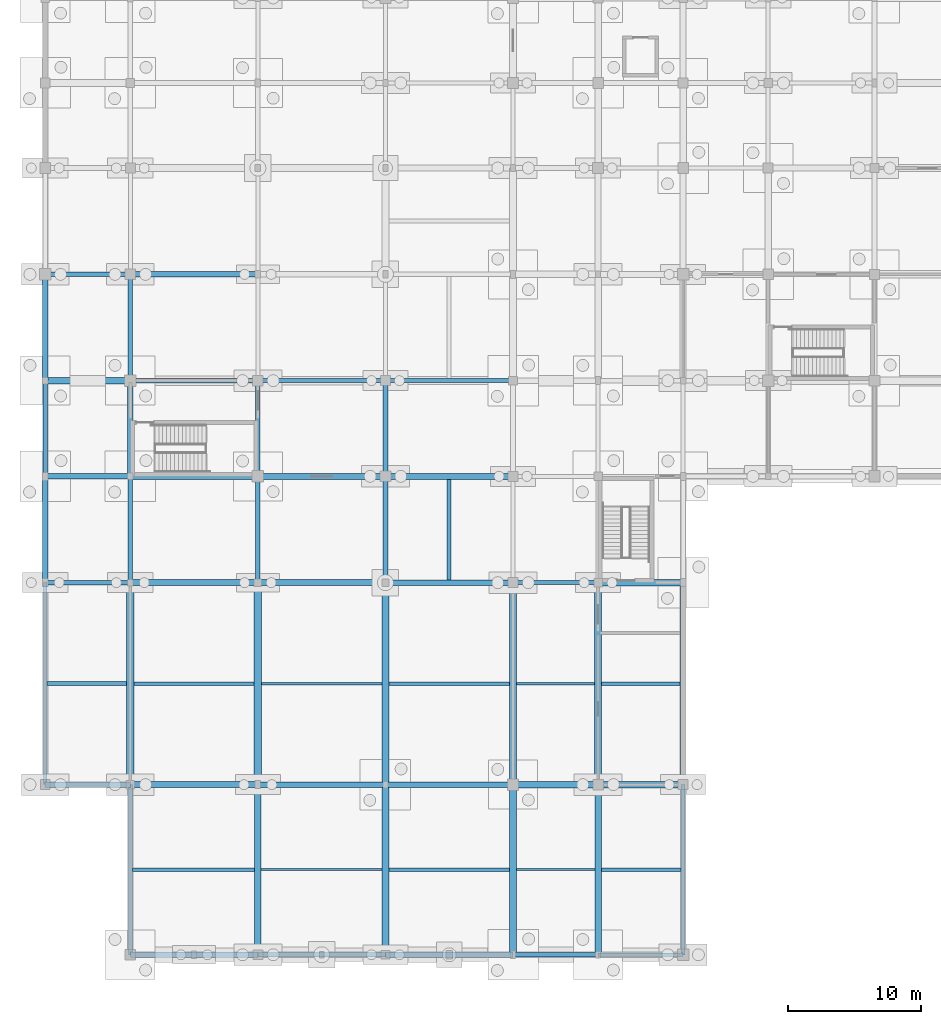
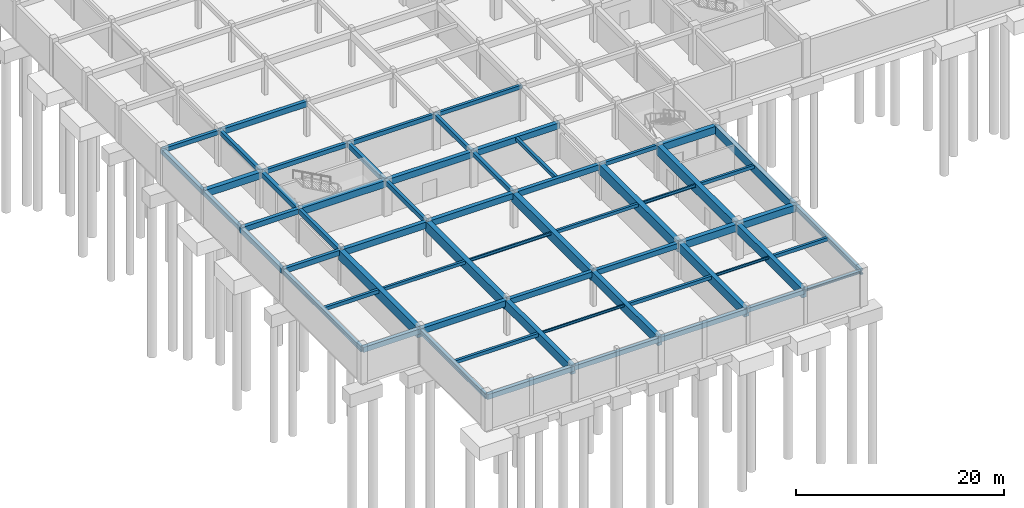
# One storey, part 9 of 28: 62 beams.
"""IFC4 building model written with IfcOpenShell, lengths in metres."""

from ifc_helpers import new_model, si_unit, direction, frame, origin, origin_2d, place, context, subcontext, project, spatial, rectangle, i_section, extrude, material, material_profile, profile_set, type_object, element, save


model = new_model("IFC4")

# Units and contexts
model_context = context("Model", 3, precision=1e-05, world=origin(), true_north=direction((0.0, 1.0)))
body_context = subcontext(model_context, "Body", "Model", "MODEL_VIEW")
ifc_project = project(units=[si_unit("LENGTHUNIT", "METRE"), si_unit("AREAUNIT", "SQUARE_METRE"), si_unit("VOLUMEUNIT", "CUBIC_METRE"), si_unit("PLANEANGLEUNIT", "RADIAN"), si_unit("MASSUNIT", "GRAM", prefix="KILO")], contexts=[model_context])

# Site, building, storey
site_placement = place(None, origin())
site = spatial("IfcSite", under=ifc_project, at=site_placement, CompositionType="ELEMENT")
building_placement = place(site_placement, origin())
building = spatial("IfcBuilding", under=site, at=building_placement, Name="Vellmiral Cinema and Media Centre", CompositionType="ELEMENT")
storey_placement = place(building_placement, frame((0.0, 0.0, -4.5)))
storey = spatial("IfcBuildingStorey", under=building, at=storey_placement, Name="B1", CompositionType="ELEMENT", Elevation=-4.5)

# Beams
ifc_material_1 = material(Name="Concrete C40/50", Category="concrete")
ifc_material_profile_1 = material_profile(ifc_material_1, rectangle(XDim=0.300048828125, YDim=0.449951171875, at=origin_2d()), Name="RC 300x450")
ifc_profile_set_1 = profile_set([ifc_material_profile_1], Name="Concrete C40/50")
beam_type_1 = type_object("IfcBeamType", Name="BM-RC-300x450", PredefinedType="BEAM", material=ifc_profile_set_1)
beam_1_placement = place(storey_placement, frame((35.199951171875, 28.0, 3.85009765625), z_axis=(1.0, 0.0, 0.0), x_axis=(0.0, 1.0, 0.0)))
element("IfcBeam", 1, at=beam_1_placement, inside=storey, type_object=beam_type_1, Name="Grid Beam B1-X020", PredefinedType="BEAM", context=body_context, shape_type="SweptSolid", body=[
    extrude(rectangle(XDim=0.300048828125, YDim=0.449951171875, at=origin_2d()), origin(), (0.0, 0.0, 1.0), 6.400146484375),
])
beam_2_placement = place(storey_placement, frame((25.60009765625, 43.199951171875, 3.85009765625), z_axis=(1.0, 0.0, 0.0), x_axis=(0.0, 1.0, 0.0)))
element("IfcBeam", 2, at=beam_2_placement, inside=storey, type_object=beam_type_1, Name="Grid Beam B1-X047", PredefinedType="BEAM", context=body_context, shape_type="SweptSolid", body=[
    extrude(rectangle(XDim=0.300048828125, YDim=0.449951171875, at=origin_2d()), origin(), (0.0, 0.0, 1.0), 9.599853515625),
])
ifc_material_2 = material(Name="Concrete C40/50", Category="concrete")
ifc_material_profile_2 = material_profile(ifc_material_2, rectangle(XDim=0.300048828125, YDim=0.5, at=origin_2d()), Name="RC 300x500")
ifc_profile_set_2 = profile_set([ifc_material_profile_2], Name="Concrete C40/50")
beam_type_2 = type_object("IfcBeamType", Name="BM-RC-300x500", PredefinedType="BEAM", material=ifc_profile_set_2)
beam_3_placement = place(storey_placement, frame((16.0, 43.199951171875, 3.824951171875), z_axis=(1.0, 0.0, 0.0), x_axis=(0.0, 1.0, 0.0)))
element("IfcBeam", 3, at=beam_3_placement, inside=storey, type_object=beam_type_2, Name="Grid Beam B1-X046", PredefinedType="BEAM", context=body_context, shape_type="SweptSolid", body=[
    extrude(rectangle(XDim=0.300048828125, YDim=0.5, at=origin_2d()), origin(), (0.0, 0.0, 1.0), 9.60009765625),
])
ifc_material_3 = material(Name="Concrete C40/50", Category="concrete")
ifc_material_profile_3 = material_profile(ifc_material_3, rectangle(XDim=0.35009765625, YDim=0.5, at=origin_2d()), Name="RC 350x500")
ifc_profile_set_3 = profile_set([ifc_material_profile_3], Name="Concrete C40/50")
beam_type_3 = type_object("IfcBeamType", Name="BM-RC-350x500", PredefinedType="BEAM", material=ifc_profile_set_3)
beam_4_placement = place(storey_placement, frame((6.39990234375, 43.199951171875, 3.824951171875), z_axis=(1.0, 0.0, 0.0), x_axis=(0.0, 1.0, 0.0)))
element("IfcBeam", 4, at=beam_4_placement, inside=storey, type_object=beam_type_3, Name="Grid Beam B1-X045", PredefinedType="BEAM", context=body_context, shape_type="SweptSolid", body=[
    extrude(rectangle(XDim=0.35009765625, YDim=0.5, at=origin_2d()), origin(), (0.0, 0.0, 1.0), 9.60009765625),
])
beam_5_placement = place(storey_placement, frame((0.0, 51.199951171875, 3.824951171875), z_axis=(1.0, 0.0, 0.0), x_axis=(0.0, 1.0, 0.0)))
element("IfcBeam", 5, at=beam_5_placement, inside=storey, type_object=beam_type_3, Name="Grid Beam B1-X062", PredefinedType="BEAM", context=body_context, shape_type="SweptSolid", body=[
    extrude(rectangle(XDim=0.35009765625, YDim=0.5, at=origin_2d()), origin(), (0.0, 0.0, 1.0), 6.39990234375),
])
for number, where, z_axis, x_axis, name in (
    (6, (6.39990234375, 43.199951171875, 3.824951171875), (0.0, 1.0, 0.0), (-1.0, 0.0, 0.0), "Grid Beam B1-Y224"),
    (7, (25.60009765625, 28.0, 3.824951171875), (0.0, 1.0, 0.0), (-1.0, 0.0, 0.0), "Grid Beam B1-Y246"),
):
    element("IfcBeam", number, at=place(storey_placement, frame(where, z_axis=z_axis, x_axis=x_axis)), inside=storey, type_object=beam_type_3, Name=name, PredefinedType="BEAM", context=body_context, shape_type="SweptSolid", body=[
        extrude(rectangle(XDim=0.35009765625, YDim=0.5, at=origin_2d()), origin(), (0.0, 0.0, 1.0), 8.0),
    ])
ifc_material_4 = material(Name="Concrete C40/50", Category="concrete")
ifc_material_profile_4 = material_profile(ifc_material_4, rectangle(XDim=0.35009765625, YDim=0.550048828125, at=origin_2d()), Name="RC 350x550")
ifc_profile_set_4 = profile_set([ifc_material_profile_4], Name="Concrete C40/50")
beam_type_4 = type_object("IfcBeamType", Name="BM-RC-350x550", PredefinedType="BEAM", material=ifc_profile_set_4)
beam_6_placement = place(storey_placement, frame((16.0, 28.0, 3.800048828125), z_axis=(0.0, 1.0, 0.0), x_axis=(-1.0, 0.0, 0.0)))
element("IfcBeam", 8, at=beam_6_placement, inside=storey, type_object=beam_type_4, Name="Grid Beam B1-Y234", PredefinedType="BEAM", context=body_context, shape_type="SweptSolid", body=[
    extrude(rectangle(XDim=0.35009765625, YDim=0.550048828125, at=origin_2d()), origin(), (0.0, 0.0, 1.0), 8.0),
])
beam_7_placement = place(storey_placement, frame((25.60009765625, 36.0, 3.800048828125), z_axis=(0.0, 1.0, 0.0), x_axis=(-1.0, 0.0, 0.0)))
element("IfcBeam", 9, at=beam_7_placement, inside=storey, type_object=beam_type_4, Name="Grid Beam B1-Y247", PredefinedType="BEAM", context=body_context, shape_type="SweptSolid", body=[
    extrude(rectangle(XDim=0.35009765625, YDim=0.550048828125, at=origin_2d()), origin(), (0.0, 0.0, 1.0), 7.199951171875),
])
ifc_material_5 = material(Name="Concrete C40/50", Category="concrete")
ifc_material_profile_5 = material_profile(ifc_material_5, rectangle(XDim=0.35009765625, YDim=0.60009765625, at=origin_2d()), Name="RC 350x600")
ifc_profile_set_5 = profile_set([ifc_material_profile_5], Name="Concrete C40/50")
beam_type_5 = type_object("IfcBeamType", Name="BM-RC-350x600", PredefinedType="BEAM", material=ifc_profile_set_5)
beam_8_placement = place(storey_placement, frame((0.0, 28.0, 3.77490234375), z_axis=(1.0, 0.0, 0.0), x_axis=(0.0, 1.0, 0.0)))
element("IfcBeam", 10, at=beam_8_placement, inside=storey, type_object=beam_type_5, Name="Grid Beam B1-X016", PredefinedType="BEAM", context=body_context, shape_type="SweptSolid", body=[
    extrude(rectangle(XDim=0.35009765625, YDim=0.60009765625, at=origin_2d()), origin(), (0.0, 0.0, 1.0), 6.39990234375),
])
beam_9_placement = place(storey_placement, frame((6.39990234375, 28.0, 3.77490234375), z_axis=(0.0, 1.0, 0.0), x_axis=(-1.0, 0.0, 0.0)))
element("IfcBeam", 11, at=beam_9_placement, inside=storey, type_object=beam_type_5, Name="Grid Beam B1-Y222", PredefinedType="BEAM", context=body_context, shape_type="SweptSolid", body=[
    extrude(rectangle(XDim=0.35009765625, YDim=0.60009765625, at=origin_2d()), origin(), (0.0, 0.0, 1.0), 8.0),
])
beam_10_placement = place(storey_placement, frame((16.0, 36.0, 3.77490234375), z_axis=(0.0, 1.0, 0.0), x_axis=(-1.0, 0.0, 0.0)))
element("IfcBeam", 12, at=beam_10_placement, inside=storey, type_object=beam_type_5, Name="Grid Beam B1-Y235", PredefinedType="BEAM", context=body_context, shape_type="SweptSolid", body=[
    extrude(rectangle(XDim=0.35009765625, YDim=0.60009765625, at=origin_2d()), origin(), (0.0, 0.0, 1.0), 7.199951171875),
])
ifc_material_6 = material(Name="Concrete C40/50", Category="concrete")
ifc_material_profile_6 = material_profile(ifc_material_6, rectangle(XDim=0.39990234375, YDim=0.60009765625, at=origin_2d()), Name="RC 400x600")
ifc_profile_set_6 = profile_set([ifc_material_profile_6], Name="Concrete C40/50")
beam_type_6 = type_object("IfcBeamType", Name="BM-RC-400x600", PredefinedType="BEAM", material=ifc_profile_set_6)
beam_11_placement = place(storey_placement, frame((25.60009765625, 12.800048828125, 3.77490234375), z_axis=(1.0, 0.0, 0.0), x_axis=(0.0, 1.0, 0.0)))
element("IfcBeam", 13, at=beam_11_placement, inside=storey, type_object=beam_type_6, Name="Grid Beam B1-X009", PredefinedType="BEAM", context=body_context, shape_type="SweptSolid", body=[
    extrude(rectangle(XDim=0.39990234375, YDim=0.60009765625, at=origin_2d()), origin(), (0.0, 0.0, 1.0), 9.599853515625),
])
beam_12_placement = place(storey_placement, frame((0.0, 36.0, 3.77490234375), z_axis=(1.0, 0.0, 0.0), x_axis=(0.0, 1.0, 0.0)))
element("IfcBeam", 14, at=beam_12_placement, inside=storey, type_object=beam_type_6, Name="Grid Beam B1-X026", PredefinedType="BEAM", context=body_context, shape_type="SweptSolid", body=[
    extrude(rectangle(XDim=0.39990234375, YDim=0.60009765625, at=origin_2d()), origin(), (0.0, 0.0, 1.0), 6.39990234375),
])
beam_13_placement = place(storey_placement, frame((6.39990234375, 36.0, 3.77490234375), z_axis=(0.0, 1.0, 0.0), x_axis=(-1.0, 0.0, 0.0)))
element("IfcBeam", 15, at=beam_13_placement, inside=storey, type_object=beam_type_6, Name="Grid Beam B1-Y223", PredefinedType="BEAM", context=body_context, shape_type="SweptSolid", body=[
    extrude(rectangle(XDim=0.39990234375, YDim=0.60009765625, at=origin_2d()), origin(), (0.0, 0.0, 1.0), 7.199951171875),
])
ifc_material_7 = material(Name="Concrete C40/50", Category="concrete")
ifc_material_profile_7 = material_profile(ifc_material_7, rectangle(XDim=0.39990234375, YDim=0.64990234375, at=origin_2d()), Name="RC 400x650")
ifc_profile_set_7 = profile_set([ifc_material_profile_7], Name="Concrete C40/50")
beam_type_7 = type_object("IfcBeamType", Name="BM-RC-400x650", PredefinedType="BEAM", material=ifc_profile_set_7)
beam_14_placement = place(storey_placement, frame((16.0, 12.800048828125, 3.75), z_axis=(1.0, 0.0, 0.0), x_axis=(0.0, 1.0, 0.0)))
element("IfcBeam", 16, at=beam_14_placement, inside=storey, type_object=beam_type_7, Name="Grid Beam B1-X008", PredefinedType="BEAM", context=body_context, shape_type="SweptSolid", body=[
    extrude(rectangle(XDim=0.39990234375, YDim=0.64990234375, at=origin_2d()), origin(), (0.0, 0.0, 1.0), 9.60009765625),
])
beam_15_placement = place(storey_placement, frame((25.60009765625, 28.0, 3.75), z_axis=(1.0, 0.0, 0.0), x_axis=(0.0, 1.0, 0.0)))
element("IfcBeam", 17, at=beam_15_placement, inside=storey, type_object=beam_type_7, Name="Grid Beam B1-X019", PredefinedType="BEAM", context=body_context, shape_type="SweptSolid", body=[
    extrude(rectangle(XDim=0.39990234375, YDim=0.64990234375, at=origin_2d()), origin(), (0.0, 0.0, 1.0), 9.599853515625),
])
beam_16_placement = place(storey_placement, frame((6.39990234375, 51.199951171875, 3.75), z_axis=(1.0, 0.0, 0.0), x_axis=(0.0, 1.0, 0.0)))
element("IfcBeam", 18, at=beam_16_placement, inside=storey, type_object=beam_type_7, Name="Grid Beam B1-X063", PredefinedType="BEAM", context=body_context, shape_type="SweptSolid", body=[
    extrude(rectangle(XDim=0.39990234375, YDim=0.64990234375, at=origin_2d()), origin(), (0.0, 0.0, 1.0), 9.60009765625),
])
ifc_material_8 = material(Name="Concrete C40/50", Category="concrete")
ifc_material_profile_8 = material_profile(ifc_material_8, rectangle(XDim=0.449951171875, YDim=0.699951171875, at=origin_2d()), Name="RC 450x700")
ifc_profile_set_8 = profile_set([ifc_material_profile_8], Name="Concrete C40/50")
beam_type_8 = type_object("IfcBeamType", Name="BM-RC-450x700", PredefinedType="BEAM", material=ifc_profile_set_8)
for number, where, z_axis, x_axis, name in (
    (19, (6.39990234375, 12.800048828125, 3.72509765625), (1.0, 0.0, 0.0), (0.0, 1.0, 0.0), "Grid Beam B1-X007"),
    (20, (16.0, 28.0, 3.72509765625), (1.0, 0.0, 0.0), (0.0, 1.0, 0.0), "Grid Beam B1-X018"),
):
    element("IfcBeam", number, at=place(storey_placement, frame(where, z_axis=z_axis, x_axis=x_axis)), inside=storey, type_object=beam_type_8, Name=name, PredefinedType="BEAM", context=body_context, shape_type="SweptSolid", body=[
        extrude(rectangle(XDim=0.449951171875, YDim=0.699951171875, at=origin_2d()), origin(), (0.0, 0.0, 1.0), 9.60009765625),
    ])
beam_17_placement = place(storey_placement, frame((25.60009765625, 36.0, 3.72509765625), z_axis=(1.0, 0.0, 0.0), x_axis=(0.0, 1.0, 0.0)))
element("IfcBeam", 21, at=beam_17_placement, inside=storey, type_object=beam_type_8, Name="Grid Beam B1-X029", PredefinedType="BEAM", context=body_context, shape_type="SweptSolid", body=[
    extrude(rectangle(XDim=0.449951171875, YDim=0.699951171875, at=origin_2d()), origin(), (0.0, 0.0, 1.0), 9.599853515625),
])
ifc_material_9 = material(Name="Concrete C40/50", Category="concrete")
ifc_material_profile_9 = material_profile(ifc_material_9, rectangle(XDim=0.449951171875, YDim=0.75, at=origin_2d()), Name="RC 450x750")
ifc_profile_set_9 = profile_set([ifc_material_profile_9], Name="Concrete C40/50")
beam_type_9 = type_object("IfcBeamType", Name="BM-RC-450x750", PredefinedType="BEAM", material=ifc_profile_set_9)
for number, where, z_axis, x_axis, name in (
    (22, (6.39990234375, 28.0, 3.699951171875), (1.0, 0.0, 0.0), (0.0, 1.0, 0.0), "Grid Beam B1-X017"),
    (23, (16.0, 36.0, 3.699951171875), (1.0, 0.0, 0.0), (0.0, 1.0, 0.0), "Grid Beam B1-X028"),
):
    element("IfcBeam", number, at=place(storey_placement, frame(where, z_axis=z_axis, x_axis=x_axis)), inside=storey, type_object=beam_type_9, Name=name, PredefinedType="BEAM", context=body_context, shape_type="SweptSolid", body=[
        extrude(rectangle(XDim=0.449951171875, YDim=0.75, at=origin_2d()), origin(), (0.0, 0.0, 1.0), 9.60009765625),
    ])
ifc_material_10 = material(Name="Concrete C40/50", Category="concrete")
ifc_material_profile_10 = material_profile(ifc_material_10, rectangle(XDim=0.5, YDim=0.800048828125, at=origin_2d()), Name="RC 500x800")
ifc_profile_set_10 = profile_set([ifc_material_profile_10], Name="Concrete C40/50")
beam_type_10 = type_object("IfcBeamType", Name="BM-RC-500x800", PredefinedType="BEAM", material=ifc_profile_set_10)
beam_18_placement = place(storey_placement, frame((41.60009765625, 12.800048828125, 3.675048828125), z_axis=(1.0, 0.0, 0.0), x_axis=(0.0, 1.0, 0.0)))
element("IfcBeam", 24, at=beam_18_placement, inside=storey, type_object=beam_type_10, Name="Grid Beam B1-X011", PredefinedType="BEAM", context=body_context, shape_type="SweptSolid", body=[
    extrude(rectangle(XDim=0.5, YDim=0.800048828125, at=origin_2d()), origin(), (0.0, 0.0, 1.0), 6.39990234375),
])
beam_19_placement = place(storey_placement, frame((6.39990234375, 36.0, 3.675048828125), z_axis=(1.0, 0.0, 0.0), x_axis=(0.0, 1.0, 0.0)))
element("IfcBeam", 25, at=beam_19_placement, inside=storey, type_object=beam_type_10, Name="Grid Beam B1-X027", PredefinedType="BEAM", context=body_context, shape_type="SweptSolid", body=[
    extrude(rectangle(XDim=0.5, YDim=0.800048828125, at=origin_2d()), origin(), (0.0, 0.0, 1.0), 9.60009765625),
])
beam_20_placement = place(storey_placement, frame((0.0, 43.199951171875, 3.675048828125), z_axis=(1.0, 0.0, 0.0), x_axis=(0.0, 1.0, 0.0)))
element("IfcBeam", 26, at=beam_20_placement, inside=storey, type_object=beam_type_10, Name="Grid Beam B1-X044", PredefinedType="BEAM", context=body_context, shape_type="SweptSolid", body=[
    extrude(rectangle(XDim=0.5, YDim=0.800048828125, at=origin_2d()), origin(), (0.0, 0.0, 1.0), 6.39990234375),
])
ifc_material_11 = material(Name="Concrete C40/50", Category="concrete")
ifc_material_profile_11 = material_profile(ifc_material_11, rectangle(XDim=0.5, YDim=0.85009765625, at=origin_2d()), Name="RC 500x850")
ifc_profile_set_11 = profile_set([ifc_material_profile_11], Name="Concrete C40/50")
beam_type_11 = type_object("IfcBeamType", Name="BM-RC-500x850", PredefinedType="BEAM", material=ifc_profile_set_11)
beam_21_placement = place(storey_placement, frame((35.199951171875, 12.800048828125, 3.64990234375), z_axis=(1.0, 0.0, 0.0), x_axis=(0.0, 1.0, 0.0)))
element("IfcBeam", 27, at=beam_21_placement, inside=storey, type_object=beam_type_11, Name="Grid Beam B1-X010", PredefinedType="BEAM", context=body_context, shape_type="SweptSolid", body=[
    extrude(rectangle(XDim=0.5, YDim=0.85009765625, at=origin_2d()), origin(), (0.0, 0.0, 1.0), 6.400146484375),
])
beam_22_placement = place(storey_placement, frame((41.60009765625, 28.0, 3.64990234375), z_axis=(1.0, 0.0, 0.0), x_axis=(0.0, 1.0, 0.0)))
element("IfcBeam", 28, at=beam_22_placement, inside=storey, type_object=beam_type_11, Name="Grid Beam B1-X021", PredefinedType="BEAM", context=body_context, shape_type="SweptSolid", body=[
    extrude(rectangle(XDim=0.5, YDim=0.85009765625, at=origin_2d()), origin(), (0.0, 0.0, 1.0), 6.39990234375),
])
ifc_material_12 = material(Name="Concrete C40/50", Category="concrete")
ifc_material_profile_12 = material_profile(ifc_material_12, rectangle(XDim=0.5, YDim=1.050048828125, at=origin_2d()), Name="RC 500x1050")
ifc_profile_set_12 = profile_set([ifc_material_profile_12], Name="Concrete C40/50")
beam_type_12 = type_object("IfcBeamType", Name="BM-RCG-500x1050", PredefinedType="BEAM", material=ifc_profile_set_12)
for number, where, z_axis, x_axis, name in (
    (29, (16.0, 0.0, 3.550048828125), (0.0, 1.0, 0.0), (-1.0, 0.0, 0.0), "Grid Beam B1-Y232"),
    (30, (25.60009765625, 0.0, 3.550048828125), (0.0, 1.0, 0.0), (-1.0, 0.0, 0.0), "Grid Beam B1-Y244"),
    (31, (35.199951171875, 0.0, 3.550048828125), (0.0, 1.0, 0.0), (-1.0, 0.0, 0.0), "Grid Beam B1-Y256"),
    (32, (41.60009765625, 0.0, 3.550048828125), (0.0, 1.0, 0.0), (-1.0, 0.0, 0.0), "Grid Beam B1-Y268"),
):
    element("IfcBeam", number, at=place(storey_placement, frame(where, z_axis=z_axis, x_axis=x_axis)), inside=storey, type_object=beam_type_12, Name=name, PredefinedType="BEAM", context=body_context, shape_type="SweptSolid", body=[
        extrude(rectangle(XDim=0.5, YDim=1.050048828125, at=origin_2d()), origin(), (0.0, 0.0, 1.0), 12.800048828125),
    ])
ifc_material_13 = material(Name="Concrete C40/50", Category="concrete")
ifc_material_profile_13 = material_profile(ifc_material_13, rectangle(XDim=0.550048828125, YDim=1.14990234375, at=origin_2d()), Name="RC 550x1150")
ifc_profile_set_13 = profile_set([ifc_material_profile_13], Name="Concrete C40/50")
beam_type_13 = type_object("IfcBeamType", Name="BM-RCG-550x1150", PredefinedType="BEAM", material=ifc_profile_set_13)
for number, where, z_axis, x_axis, name in (
    (33, (6.39990234375, 12.800048828125, 3.5), (0.0, 1.0, 0.0), (-1.0, 0.0, 0.0), "Grid Beam B1-Y221"),
    (34, (16.0, 12.800048828125, 3.5), (0.0, 1.0, 0.0), (-1.0, 0.0, 0.0), "Grid Beam B1-Y233"),
    (35, (25.60009765625, 12.800048828125, 3.5), (0.0, 1.0, 0.0), (-1.0, 0.0, 0.0), "Grid Beam B1-Y245"),
    (36, (35.199951171875, 12.800048828125, 3.5), (0.0, 1.0, 0.0), (-1.0, 0.0, 0.0), "Grid Beam B1-Y257"),
    (37, (41.60009765625, 12.800048828125, 3.5), (0.0, 1.0, 0.0), (-1.0, 0.0, 0.0), "Grid Beam B1-Y269"),
):
    element("IfcBeam", number, at=place(storey_placement, frame(where, z_axis=z_axis, x_axis=x_axis)), inside=storey, type_object=beam_type_13, Name=name, PredefinedType="BEAM", context=body_context, shape_type="SweptSolid", body=[
        extrude(rectangle(XDim=0.550048828125, YDim=1.14990234375, at=origin_2d()), origin(), (0.0, 0.0, 1.0), 15.199951171875),
    ])
ifc_material_14 = material(Name="Concrete C40/50", Category="concrete")
ifc_material_profile_14 = material_profile(ifc_material_14, rectangle(XDim=0.260009765625, YDim=0.3798828125, at=origin_2d()), Name="RC 260x380")
ifc_profile_set_14 = profile_set([ifc_material_profile_14], Name="Concrete C40/50")
beam_type_14 = type_object("IfcBeamType", Name="JST-RC-260x380", PredefinedType="JOIST", material=ifc_profile_set_14)
for number, where, z_axis, x_axis, name in (
    (38, (6.675048828125, 20.39990234375, 3.885009765625), (1.0, 0.0, 0.0), (0.0, 1.0, 0.0), "Secondary Floor Joist B1-003"),
    (39, (25.875, 20.39990234375, 3.885009765625), (1.0, 0.0, 0.0), (0.0, 1.0, 0.0), "Secondary Floor Joist B1-009"),
):
    element("IfcBeam", number, at=place(storey_placement, frame(where, z_axis=z_axis, x_axis=x_axis)), inside=storey, type_object=beam_type_14, Name=name, PredefinedType="JOIST", context=body_context, shape_type="SweptSolid", body=[
        extrude(rectangle(XDim=0.260009765625, YDim=0.3798828125, at=origin_2d()), origin(), (0.0, 0.0, 1.0), 9.050048828125),
    ])
beam_23_placement = place(storey_placement, frame((41.875, 20.39990234375, 3.885009765625), z_axis=(1.0, 0.0, 0.0), x_axis=(0.0, 1.0, 0.0)))
element("IfcBeam", 40, at=beam_23_placement, inside=storey, type_object=beam_type_14, Name="Secondary Floor Joist B1-015", PredefinedType="JOIST", context=body_context, shape_type="SweptSolid", body=[
    extrude(rectangle(XDim=0.260009765625, YDim=0.3798828125, at=origin_2d()), origin(), (0.0, 0.0, 1.0), 5.89990234375),
])
ifc_material_15 = material(Name="Concrete C40/50", Category="concrete")
ifc_material_profile_15 = material_profile(ifc_material_15, rectangle(XDim=0.280029296875, YDim=0.39990234375, at=origin_2d()), Name="RC 280x400")
ifc_profile_set_15 = profile_set([ifc_material_profile_15], Name="Concrete C40/50")
beam_type_15 = type_object("IfcBeamType", Name="JST-RC-280x400", PredefinedType="JOIST", material=ifc_profile_set_15)
beam_24_placement = place(storey_placement, frame((6.550048828125, 6.39990234375, 3.875), z_axis=(1.0, 0.0, 0.0), x_axis=(0.0, 1.0, 0.0)))
element("IfcBeam", 41, at=beam_24_placement, inside=storey, type_object=beam_type_15, Name="Secondary Floor Joist B1-002", PredefinedType="JOIST", context=body_context, shape_type="SweptSolid", body=[
    extrude(rectangle(XDim=0.280029296875, YDim=0.39990234375, at=origin_2d()), origin(), (0.0, 0.0, 1.0), 9.199951171875),
])
beam_25_placement = place(storey_placement, frame((25.85009765625, 6.39990234375, 3.875), z_axis=(1.0, 0.0, 0.0), x_axis=(0.0, 1.0, 0.0)))
element("IfcBeam", 42, at=beam_25_placement, inside=storey, type_object=beam_type_15, Name="Secondary Floor Joist B1-008", PredefinedType="JOIST", context=body_context, shape_type="SweptSolid", body=[
    extrude(rectangle(XDim=0.280029296875, YDim=0.39990234375, at=origin_2d()), origin(), (0.0, 0.0, 1.0), 9.099853515625),
])
beam_26_placement = place(storey_placement, frame((41.85009765625, 6.39990234375, 3.875), z_axis=(1.0, 0.0, 0.0), x_axis=(0.0, 1.0, 0.0)))
element("IfcBeam", 43, at=beam_26_placement, inside=storey, type_object=beam_type_15, Name="Secondary Floor Joist B1-014", PredefinedType="JOIST", context=body_context, shape_type="SweptSolid", body=[
    extrude(rectangle(XDim=0.280029296875, YDim=0.39990234375, at=origin_2d()), origin(), (0.0, 0.0, 1.0), 6.0),
])
ifc_material_16 = material(Name="Concrete C40/50", Category="concrete")
ifc_material_profile_16 = material_profile(ifc_material_16, rectangle(XDim=0.300048828125, YDim=0.419921875, at=origin_2d()), Name="RC 300x420")
ifc_profile_set_16 = profile_set([ifc_material_profile_16], Name="Concrete C40/50")
beam_type_16 = type_object("IfcBeamType", Name="JST-RC-300x420", PredefinedType="JOIST", material=ifc_profile_set_16)
beam_27_placement = place(storey_placement, frame((0.14990234375, 20.39990234375, 3.864990234375), z_axis=(1.0, 0.0, 0.0), x_axis=(0.0, 1.0, 0.0)))
element("IfcBeam", 44, at=beam_27_placement, inside=storey, type_object=beam_type_16, Name="Secondary Floor Joist B1-001", PredefinedType="JOIST", context=body_context, shape_type="SweptSolid", body=[
    extrude(rectangle(XDim=0.300048828125, YDim=0.419921875, at=origin_2d()), origin(), (0.0, 0.0, 1.0), 5.97509765625),
])
beam_28_placement = place(storey_placement, frame((30.39990234375, 28.199951171875, 3.864990234375), z_axis=(0.0, 1.0, 0.0), x_axis=(-1.0, 0.0, 0.0)))
element("IfcBeam", 45, at=beam_28_placement, inside=storey, type_object=beam_type_16, Name="Platform Sub-Bay Floor Joist B1-01", PredefinedType="JOIST", context=body_context, shape_type="SweptSolid", body=[
    extrude(rectangle(XDim=0.300048828125, YDim=0.419921875, at=origin_2d()), origin(), (0.0, 0.0, 1.0), 7.574951171875),
])
ifc_material_17 = material(Name="Steel S355", Category="steel")
ifc_material_profile_17 = material_profile(ifc_material_17, i_section(OverallWidth=0.300048828125, OverallDepth=0.300048828125, WebThickness=0.010986328125, FlangeThickness=0.01904296875, FilletRadius=0.027099609375, at=origin_2d()), Name="HEB 300")
ifc_profile_set_17 = profile_set([ifc_material_profile_17], Name="Steel S355")
beam_type_17 = type_object("IfcBeamType", Name="SBM-HEB300", PredefinedType="SPANDREL", material=ifc_profile_set_17)
beam_29_placement = place(storey_placement, frame((41.60009765625, 0.0, 3.925048828125), z_axis=(1.0, 0.0, 0.0), x_axis=(0.0, 1.0, 0.0)))
element("IfcBeam", 46, at=beam_29_placement, inside=storey, type_object=beam_type_17, Name="Grid Beam B1-X005", PredefinedType="SPANDREL", context=body_context, shape_type="SweptSolid", body=[
    extrude(i_section(OverallWidth=0.300048828125, OverallDepth=0.300048828125, WebThickness=0.010986328125, FlangeThickness=0.01904296875, FilletRadius=0.027099609375, at=origin_2d()), origin(), (0.0, 0.0, 1.0), 6.39990234375),
])
ifc_material_18 = material(Name="Steel S355", Category="steel")
ifc_material_profile_18 = material_profile(ifc_material_18, i_section(OverallWidth=0.300048828125, OverallDepth=0.60009765625, WebThickness=0.015380859375, FlangeThickness=0.030029296875, FilletRadius=0.027099609375, at=origin_2d()), Name="HEB 600")
ifc_profile_set_18 = profile_set([ifc_material_profile_18], Name="Steel S355")
beam_type_18 = type_object("IfcBeamType", Name="SBM-HEB600-SPD", PredefinedType="SPANDREL", material=ifc_profile_set_18)
beam_30_placement = place(storey_placement, frame((0.0, 12.800048828125, 3.77490234375), z_axis=(0.0, 1.0, 0.0), x_axis=(-1.0, 0.0, 0.0)))
element("IfcBeam", 47, at=beam_30_placement, inside=storey, type_object=beam_type_18, Name="Grid Beam B1-Y210", PredefinedType="SPANDREL", context=body_context, shape_type="SweptSolid", body=[
    extrude(i_section(OverallWidth=0.300048828125, OverallDepth=0.60009765625, WebThickness=0.015380859375, FlangeThickness=0.030029296875, FilletRadius=0.027099609375, at=origin_2d()), origin(), (0.0, 0.0, 1.0), 15.199951171875),
])
for number, where, z_axis, x_axis, name in (
    (48, (6.39990234375, 0.0, 3.77490234375), (0.0, 1.0, 0.0), (-1.0, 0.0, 0.0), "Grid Beam B1-Y220"),
    (49, (48.0, 0.0, 3.77490234375), (0.0, 1.0, 0.0), (-1.0, 0.0, 0.0), "Grid Beam B1-Y280"),
):
    element("IfcBeam", number, at=place(storey_placement, frame(where, z_axis=z_axis, x_axis=x_axis)), inside=storey, type_object=beam_type_18, Name=name, PredefinedType="SPANDREL", context=body_context, shape_type="SweptSolid", body=[
        extrude(i_section(OverallWidth=0.300048828125, OverallDepth=0.60009765625, WebThickness=0.015380859375, FlangeThickness=0.030029296875, FilletRadius=0.027099609375, at=origin_2d()), origin(), (0.0, 0.0, 1.0), 12.800048828125),
    ])
ifc_material_19 = material(Name="Steel S355", Category="steel")
ifc_material_profile_19 = material_profile(ifc_material_19, i_section(OverallWidth=0.14990234375, OverallDepth=0.300048828125, WebThickness=0.007080078125, FlangeThickness=0.0107421875, FilletRadius=0.014892578125, at=origin_2d()), Name="IPE 300")
ifc_profile_set_19 = profile_set([ifc_material_profile_19], Name="Steel S355")
beam_type_19 = type_object("IfcBeamType", Name="SBM-IPE300", PredefinedType="JOIST", material=ifc_profile_set_19)
beam_31_placement = place(storey_placement, frame((16.25, 6.39990234375, 3.925048828125), z_axis=(1.0, 0.0, 0.0), x_axis=(0.0, 1.0, 0.0)))
element("IfcBeam", 50, at=beam_31_placement, inside=storey, type_object=beam_type_19, Name="Secondary Floor Joist B1-005", PredefinedType="JOIST", context=body_context, shape_type="SweptSolid", body=[
    extrude(i_section(OverallWidth=0.14990234375, OverallDepth=0.300048828125, WebThickness=0.007080078125, FlangeThickness=0.0107421875, FilletRadius=0.014892578125, at=origin_2d()), origin(), (0.0, 0.0, 1.0), 9.10009765625),
])
beam_32_placement = place(storey_placement, frame((35.449951171875, 6.39990234375, 3.925048828125), z_axis=(1.0, 0.0, 0.0), x_axis=(0.0, 1.0, 0.0)))
element("IfcBeam", 51, at=beam_32_placement, inside=storey, type_object=beam_type_19, Name="Secondary Floor Joist B1-011", PredefinedType="JOIST", context=body_context, shape_type="SweptSolid", body=[
    extrude(i_section(OverallWidth=0.14990234375, OverallDepth=0.300048828125, WebThickness=0.007080078125, FlangeThickness=0.0107421875, FilletRadius=0.014892578125, at=origin_2d()), origin(), (0.0, 0.0, 1.0), 5.900146484375),
])
ifc_material_20 = material(Name="Steel S355", Category="steel")
ifc_material_profile_20 = material_profile(ifc_material_20, i_section(OverallWidth=0.169921875, OverallDepth=0.360107421875, WebThickness=0.008056640625, FlangeThickness=0.0126953125, FilletRadius=0.01806640625, at=origin_2d()), Name="IPE 360")
ifc_profile_set_20 = profile_set([ifc_material_profile_20], Name="Steel S355")
beam_type_20 = type_object("IfcBeamType", Name="SBM-IPE360", PredefinedType="JOIST", material=ifc_profile_set_20)
beam_33_placement = place(storey_placement, frame((16.27490234375, 20.39990234375, 3.89501953125), z_axis=(1.0, 0.0, 0.0), x_axis=(0.0, 1.0, 0.0)))
element("IfcBeam", 52, at=beam_33_placement, inside=storey, type_object=beam_type_20, Name="Secondary Floor Joist B1-006", PredefinedType="JOIST", context=body_context, shape_type="SweptSolid", body=[
    extrude(i_section(OverallWidth=0.169921875, OverallDepth=0.360107421875, WebThickness=0.008056640625, FlangeThickness=0.0126953125, FilletRadius=0.01806640625, at=origin_2d()), origin(), (0.0, 0.0, 1.0), 9.050048828125),
])
beam_34_placement = place(storey_placement, frame((35.47509765625, 20.39990234375, 3.89501953125), z_axis=(1.0, 0.0, 0.0), x_axis=(0.0, 1.0, 0.0)))
element("IfcBeam", 53, at=beam_34_placement, inside=storey, type_object=beam_type_20, Name="Secondary Floor Joist B1-012", PredefinedType="JOIST", context=body_context, shape_type="SweptSolid", body=[
    extrude(i_section(OverallWidth=0.169921875, OverallDepth=0.360107421875, WebThickness=0.008056640625, FlangeThickness=0.0126953125, FilletRadius=0.01806640625, at=origin_2d()), origin(), (0.0, 0.0, 1.0), 5.849853515625),
])
ifc_material_21 = material(Name="Concrete C40/50", Category="concrete")
ifc_material_profile_21 = material_profile(ifc_material_21, rectangle(XDim=0.35009765625, YDim=0.56005859375, at=origin_2d()), Name="RC 350x560")
ifc_profile_set_21 = profile_set([ifc_material_profile_21], Name="Concrete C40/50")
beam_type_21 = type_object("IfcBeamType", Name="SPD-RC-350x560", PredefinedType="SPANDREL", material=ifc_profile_set_21)
beam_35_placement = place(storey_placement, frame((16.0, 0.0, 3.794921875), z_axis=(1.0, 0.0, 0.0), x_axis=(0.0, 1.0, 0.0)))
element("IfcBeam", 54, at=beam_35_placement, inside=storey, type_object=beam_type_21, Name="Grid Beam B1-X002", PredefinedType="SPANDREL", context=body_context, shape_type="SweptSolid", body=[
    extrude(rectangle(XDim=0.35009765625, YDim=0.56005859375, at=origin_2d()), origin(), (0.0, 0.0, 1.0), 9.60009765625),
])
beam_36_placement = place(storey_placement, frame((0.0, 36.0, 3.794921875), z_axis=(0.0, 1.0, 0.0), x_axis=(-1.0, 0.0, 0.0)))
element("IfcBeam", 55, at=beam_36_placement, inside=storey, type_object=beam_type_21, Name="Grid Beam B1-Y212", PredefinedType="SPANDREL", context=body_context, shape_type="SweptSolid", body=[
    extrude(rectangle(XDim=0.35009765625, YDim=0.56005859375, at=origin_2d()), origin(), (0.0, 0.0, 1.0), 7.199951171875),
])
ifc_material_22 = material(Name="Concrete C40/50", Category="concrete")
ifc_material_profile_22 = material_profile(ifc_material_22, rectangle(XDim=0.39990234375, YDim=0.60009765625, at=origin_2d()), Name="RC 400x600")
ifc_profile_set_22 = profile_set([ifc_material_profile_22], Name="Concrete C40/50")
beam_type_22 = type_object("IfcBeamType", Name="SPD-RC-400x600", PredefinedType="SPANDREL", material=ifc_profile_set_22)
beam_37_placement = place(storey_placement, frame((6.39990234375, 0.0, 3.77490234375), z_axis=(1.0, 0.0, 0.0), x_axis=(0.0, 1.0, 0.0)))
element("IfcBeam", 56, at=beam_37_placement, inside=storey, type_object=beam_type_22, Name="Grid Beam B1-X001", PredefinedType="SPANDREL", context=body_context, shape_type="SweptSolid", body=[
    extrude(rectangle(XDim=0.39990234375, YDim=0.60009765625, at=origin_2d()), origin(), (0.0, 0.0, 1.0), 9.60009765625),
])
beam_38_placement = place(storey_placement, frame((0.0, 12.800048828125, 3.77490234375), z_axis=(1.0, 0.0, 0.0), x_axis=(0.0, 1.0, 0.0)))
element("IfcBeam", 57, at=beam_38_placement, inside=storey, type_object=beam_type_22, Name="Grid Beam B1-X006", PredefinedType="SPANDREL", context=body_context, shape_type="SweptSolid", body=[
    extrude(rectangle(XDim=0.39990234375, YDim=0.60009765625, at=origin_2d()), origin(), (0.0, 0.0, 1.0), 6.39990234375),
])
beam_39_placement = place(storey_placement, frame((0.0, 28.0, 3.77490234375), z_axis=(0.0, 1.0, 0.0), x_axis=(-1.0, 0.0, 0.0)))
element("IfcBeam", 58, at=beam_39_placement, inside=storey, type_object=beam_type_22, Name="Grid Beam B1-Y211", PredefinedType="SPANDREL", context=body_context, shape_type="SweptSolid", body=[
    extrude(rectangle(XDim=0.39990234375, YDim=0.60009765625, at=origin_2d()), origin(), (0.0, 0.0, 1.0), 8.0),
])
ifc_material_23 = material(Name="Concrete C40/50", Category="concrete")
ifc_material_profile_23 = material_profile(ifc_material_23, rectangle(XDim=0.449951171875, YDim=1.050048828125, at=origin_2d()), Name="RC 450x1050")
ifc_profile_set_23 = profile_set([ifc_material_profile_23], Name="Concrete C40/50")
beam_type_23 = type_object("IfcBeamType", Name="SPD-RCG-450x1050", PredefinedType="SPANDREL", material=ifc_profile_set_23)
beam_40_placement = place(storey_placement, frame((48.0, 12.800048828125, 3.550048828125), z_axis=(0.0, 1.0, 0.0), x_axis=(-1.0, 0.0, 0.0)))
element("IfcBeam", 59, at=beam_40_placement, inside=storey, type_object=beam_type_23, Name="Grid Beam B1-Y281", PredefinedType="SPANDREL", context=body_context, shape_type="SweptSolid", body=[
    extrude(rectangle(XDim=0.449951171875, YDim=1.050048828125, at=origin_2d()), origin(), (0.0, 0.0, 1.0), 15.199951171875),
])
ifc_material_24 = material(Name="Vosges Red Sandstone Masonry", Category="masonry")
ifc_material_profile_24 = material_profile(ifc_material_24, rectangle(XDim=0.340087890625, YDim=0.52001953125, at=origin_2d()), Name="SAND 340x520")
ifc_profile_set_24 = profile_set([ifc_material_profile_24], Name="Vosges Red Sandstone Masonry")
beam_type_24 = type_object("IfcBeamType", Name="SPD-SAND-340x520", PredefinedType="SPANDREL", material=ifc_profile_set_24)
beam_41_placement = place(storey_placement, frame((35.199951171875, 0.0, 3.81494140625), z_axis=(1.0, 0.0, 0.0), x_axis=(0.0, 1.0, 0.0)))
element("IfcBeam", 60, at=beam_41_placement, inside=storey, type_object=beam_type_24, Name="Grid Beam B1-X004", PredefinedType="SPANDREL", context=body_context, shape_type="SweptSolid", body=[
    extrude(rectangle(XDim=0.340087890625, YDim=0.52001953125, at=origin_2d()), origin(), (0.0, 0.0, 1.0), 6.400146484375),
])
ifc_material_25 = material(Name="Vosges Red Sandstone Masonry", Category="masonry")
ifc_material_profile_25 = material_profile(ifc_material_25, rectangle(XDim=0.3798828125, YDim=0.580078125, at=origin_2d()), Name="SAND 380x580")
ifc_profile_set_25 = profile_set([ifc_material_profile_25], Name="Vosges Red Sandstone Masonry")
beam_type_25 = type_object("IfcBeamType", Name="SPD-SAND-380x580", PredefinedType="SPANDREL", material=ifc_profile_set_25)
beam_42_placement = place(storey_placement, frame((25.60009765625, 0.0, 3.784912109375), z_axis=(1.0, 0.0, 0.0), x_axis=(0.0, 1.0, 0.0)))
element("IfcBeam", 61, at=beam_42_placement, inside=storey, type_object=beam_type_25, Name="Grid Beam B1-X003", PredefinedType="SPANDREL", context=body_context, shape_type="SweptSolid", body=[
    extrude(rectangle(XDim=0.3798828125, YDim=0.580078125, at=origin_2d()), origin(), (0.0, 0.0, 1.0), 9.599853515625),
])
beam_43_placement = place(storey_placement, frame((0.0, 43.199951171875, 3.784912109375), z_axis=(0.0, 1.0, 0.0), x_axis=(-1.0, 0.0, 0.0)))
element("IfcBeam", 62, at=beam_43_placement, inside=storey, type_object=beam_type_25, Name="Grid Beam B1-Y213", PredefinedType="SPANDREL", context=body_context, shape_type="SweptSolid", body=[
    extrude(rectangle(XDim=0.3798828125, YDim=0.580078125, at=origin_2d()), origin(), (0.0, 0.0, 1.0), 8.0),
])

save(model, "model.ifc")
